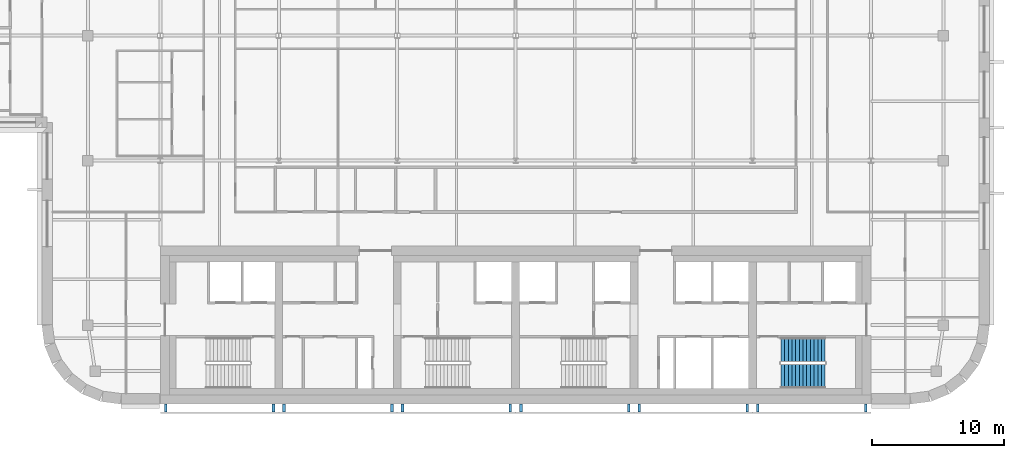
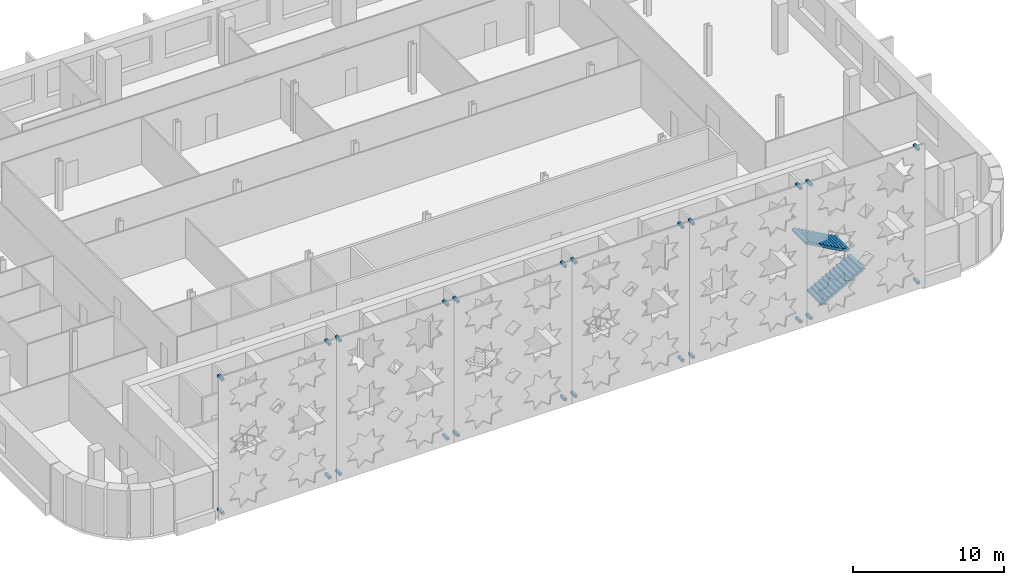
# One storey, part 13 of 18: 24 discrete accessories, 2 stair flights, 1 element without a shape of its own.
"""IFC4 building model written with IfcOpenShell, lengths in metres."""

from ifc_helpers import new_model, si_unit, direction, frame, origin, origin_2d, place, context, subcontext, project, spatial, polyline, rectangle, outline, extrude, material, type_object, element, aggregate, save


model = new_model("IFC4")

# Units and contexts
model_context = context("Model", 3, precision=1e-05, world=origin(), true_north=direction((0.0, 1.0)))
body_context = subcontext(model_context, "Body", "Model", "MODEL_VIEW")
ifc_project = project(units=[si_unit("LENGTHUNIT", "METRE"), si_unit("AREAUNIT", "SQUARE_METRE"), si_unit("VOLUMEUNIT", "CUBIC_METRE"), si_unit("PLANEANGLEUNIT", "RADIAN"), si_unit("MASSUNIT", "GRAM", prefix="KILO")], contexts=[model_context])

# Site, building, storey
site_placement = place(None, origin())
site = spatial("IfcSite", under=ifc_project, at=site_placement, CompositionType="ELEMENT")
building_placement = place(site_placement, origin())
building = spatial("IfcBuilding", under=site, at=building_placement, Name="Zellij Exchange Tower", CompositionType="ELEMENT")
storey_placement = place(building_placement, frame((0.0, 0.0, 240.5)))
storey = spatial("IfcBuildingStorey", under=building, at=storey_placement, Name="L56", CompositionType="ELEMENT", Elevation=240.5)

# Stair, stair flights
ifc_material_1 = material(Name="Concrete C40/50", Category="concrete")
stair_type = type_object("IfcStairType", Name="CORE-ST exit stair 1850 wide", PredefinedType="HALF_TURN_STAIR", material=ifc_material_1)
stair_placement = place(storey_placement, origin())
stair = element("IfcStair", 1, at=stair_placement, inside=storey, type_object=stair_type, Name="L56 exit stair ST4", PredefinedType="HALF_TURN_STAIR")
stair_flight_type = type_object("IfcStairFlightType", Name="CORE-SF flight 1850 riser 153.8 going 280", PredefinedType="STRAIGHT", material=ifc_material_1)
stair_flight_1_placement = place(storey_placement, frame((20.14990234375, -11.875, 0.0), z_axis=(0.0, 0.0, 1.0), x_axis=(1.0, 0.0, 0.0)))
stair_flight_1 = element("IfcStairFlight", 2, at=stair_flight_1_placement, type_object=stair_flight_type, Name="ST4 flight 1", NumberOfRisers=13, NumberOfTreads=12, PredefinedType="STRAIGHT", RiserHeight=0.153846154, TreadLength=0.28, context=body_context, shape_type="SweptSolid", body=[
    extrude(outline(polyline([(0.0, 0.0), (0.0, 0.15380859375), (0.280029296875, 0.15380859375), (0.280029296875, 0.3076171875), (0.56005859375, 0.3076171875), (0.56005859375, 0.46142578125), (0.840087890625, 0.46142578125), (0.840087890625, 0.615478515625), (1.1201171875, 0.615478515625), (1.1201171875, 0.769287109375), (1.39990234375, 0.769287109375), (1.39990234375, 0.923095703125), (1.679931640625, 0.923095703125), (1.679931640625, 1.076904296875), (1.9599609375, 1.076904296875), (1.9599609375, 1.230712890625), (2.239990234375, 1.230712890625), (2.239990234375, 1.384521484375), (2.52001953125, 1.384521484375), (2.52001953125, 1.53857421875), (2.800048828125, 1.53857421875), (2.800048828125, 1.6923828125), (3.080078125, 1.6923828125), (3.080078125, 1.84619140625), (3.360107421875, 1.84619140625), (3.360107421875, 2.0), (3.360107421875, 1.675048828125), (0.311279296875, 0.0), (0.0, 0.0)])), frame((0.0, 0.925048828125, 0.0), z_axis=(0.0, -1.0, 0.0), x_axis=(1.0, 0.0, 0.0)), (0.0, 0.0, 1.0), 1.85009765625),
])
stair_flight_2_placement = place(storey_placement, frame((23.510009765625, -9.875, 2.0), z_axis=(0.0, 0.0, 1.0), x_axis=(-1.0, 0.0, 0.0)))
stair_flight_2 = element("IfcStairFlight", 3, at=stair_flight_2_placement, type_object=stair_flight_type, Name="ST4 flight 2", NumberOfRisers=13, NumberOfTreads=12, PredefinedType="STRAIGHT", RiserHeight=0.153846154, TreadLength=0.28, context=body_context, shape_type="SweptSolid", body=[
    extrude(outline(polyline([(0.0, 0.0), (0.0, 0.15380859375), (0.280029296875, 0.15380859375), (0.280029296875, 0.3076171875), (0.56005859375, 0.3076171875), (0.56005859375, 0.46142578125), (0.840087890625, 0.46142578125), (0.840087890625, 0.615478515625), (1.1201171875, 0.615478515625), (1.1201171875, 0.769287109375), (1.39990234375, 0.769287109375), (1.39990234375, 0.923095703125), (1.679931640625, 0.923095703125), (1.679931640625, 1.076904296875), (1.9599609375, 1.076904296875), (1.9599609375, 1.230712890625), (2.239990234375, 1.230712890625), (2.239990234375, 1.384521484375), (2.52001953125, 1.384521484375), (2.52001953125, 1.53857421875), (2.800048828125, 1.53857421875), (2.800048828125, 1.6923828125), (3.080078125, 1.6923828125), (3.080078125, 1.84619140625), (3.360107421875, 1.84619140625), (3.360107421875, 2.0), (3.360107421875, 1.675048828125), (0.311279296875, 0.0), (0.0, 0.0)])), frame((0.0, 0.925048828125, 0.0), z_axis=(0.0, -1.0, 0.0), x_axis=(1.0, 0.0, 0.0)), (0.0, 0.0, 1.0), 1.85009765625),
])
aggregate(stair, [stair_flight_1, stair_flight_2])

# Discrete accessories
ifc_material_2 = material(Name="Stainless steel", Category="steel")
discrete_accessory_type = type_object("IfcDiscreteAccessoryType", Name="ENV-BR1 Stone panel bracket 200", PredefinedType="USERDEFINED", material=ifc_material_2)
for number, where, z_axis, x_axis, name in (
    (4, (-26.60009765625, -14.300048828125, 0.5), (0.0, 0.0, 1.0), (1.0, 0.0, 0.0), "Panel bracket"),
    (5, (-26.60009765625, -14.300048828125, 11.2998046875), (0.0, 0.0, 1.0), (1.0, 0.0, 0.0), "Panel bracket"),
    (6, (-18.39990234375, -14.300048828125, 0.5), (0.0, 0.0, 1.0), (1.0, 0.0, 0.0), "Panel bracket"),
    (7, (-18.39990234375, -14.300048828125, 11.2998046875), (0.0, 0.0, 1.0), (1.0, 0.0, 0.0), "Panel bracket"),
    (8, (-17.60009765625, -14.300048828125, 0.5), (0.0, 0.0, 1.0), (1.0, 0.0, 0.0), "Panel bracket"),
    (9, (-17.60009765625, -14.300048828125, 11.2998046875), (0.0, 0.0, 1.0), (1.0, 0.0, 0.0), "Panel bracket"),
    (10, (-9.39990234375, -14.300048828125, 0.5), (0.0, 0.0, 1.0), (1.0, 0.0, 0.0), "Panel bracket"),
    (11, (-9.39990234375, -14.300048828125, 11.2998046875), (0.0, 0.0, 1.0), (1.0, 0.0, 0.0), "Panel bracket"),
    (12, (-8.60009765625, -14.300048828125, 0.5), (0.0, 0.0, 1.0), (1.0, 0.0, 0.0), "Panel bracket"),
    (13, (-8.60009765625, -14.300048828125, 11.2998046875), (0.0, 0.0, 1.0), (1.0, 0.0, 0.0), "Panel bracket"),
    (14, (-0.39990234375, -14.300048828125, 0.5), (0.0, 0.0, 1.0), (1.0, 0.0, 0.0), "Panel bracket"),
    (15, (-0.39990234375, -14.300048828125, 11.2998046875), (0.0, 0.0, 1.0), (1.0, 0.0, 0.0), "Panel bracket"),
    (16, (0.39990234375, -14.300048828125, 0.5), (0.0, 0.0, 1.0), (1.0, 0.0, 0.0), "Panel bracket"),
    (17, (0.39990234375, -14.300048828125, 11.2998046875), (0.0, 0.0, 1.0), (1.0, 0.0, 0.0), "Panel bracket"),
    (18, (8.60009765625, -14.300048828125, 0.5), (0.0, 0.0, 1.0), (1.0, 0.0, 0.0), "Panel bracket"),
    (19, (8.60009765625, -14.300048828125, 11.2998046875), (0.0, 0.0, 1.0), (1.0, 0.0, 0.0), "Panel bracket"),
    (20, (9.39990234375, -14.300048828125, 0.5), (0.0, 0.0, 1.0), (1.0, 0.0, 0.0), "Panel bracket"),
    (21, (9.39990234375, -14.300048828125, 11.2998046875), (0.0, 0.0, 1.0), (1.0, 0.0, 0.0), "Panel bracket"),
    (22, (17.60009765625, -14.300048828125, 0.5), (0.0, 0.0, 1.0), (1.0, 0.0, 0.0), "Panel bracket"),
    (23, (17.60009765625, -14.300048828125, 11.2998046875), (0.0, 0.0, 1.0), (1.0, 0.0, 0.0), "Panel bracket"),
    (24, (18.39990234375, -14.300048828125, 0.5), (0.0, 0.0, 1.0), (1.0, 0.0, 0.0), "Panel bracket"),
    (25, (18.39990234375, -14.300048828125, 11.2998046875), (0.0, 0.0, 1.0), (1.0, 0.0, 0.0), "Panel bracket"),
    (26, (26.60009765625, -14.300048828125, 0.5), (0.0, 0.0, 1.0), (1.0, 0.0, 0.0), "Panel bracket"),
    (27, (26.60009765625, -14.300048828125, 11.2998046875), (0.0, 0.0, 1.0), (1.0, 0.0, 0.0), "Panel bracket"),
):
    element("IfcDiscreteAccessory", number, at=place(storey_placement, frame(where, z_axis=z_axis, x_axis=x_axis)), inside=storey, type_object=discrete_accessory_type, Name=name, ObjectType="BRACKET", PredefinedType="USERDEFINED", context=body_context, shape_type="SweptSolid", body=[
        extrude(rectangle(XDim=0.199951171875, YDim=0.60009765625, at=origin_2d()), origin(), (0.0, 0.0, 1.0), 0.199951171875),
    ])

save(model, "model.ifc")
